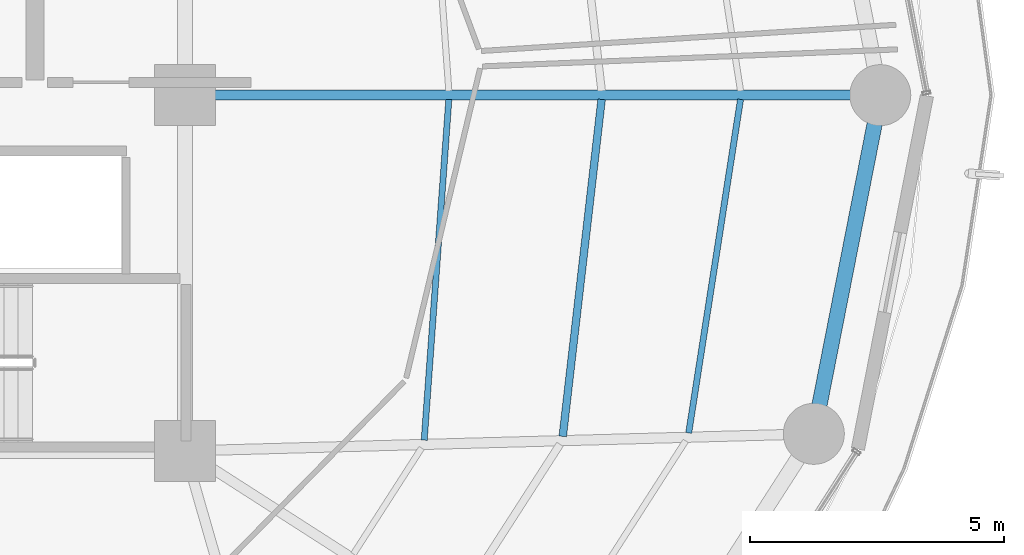
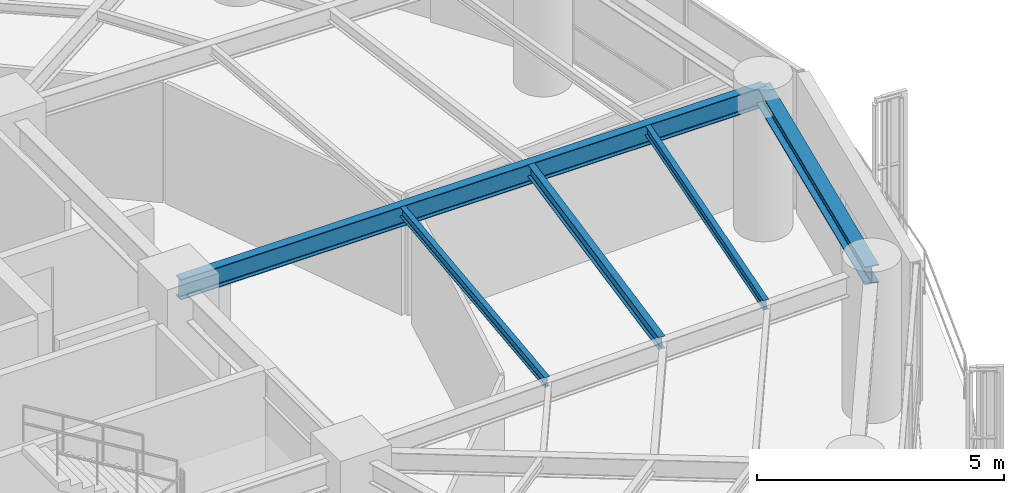
# One storey, part 12 of 28: 5 beams.
"""IFC4 building model written with IfcOpenShell, lengths in metres."""

from ifc_helpers import new_model, si_unit, direction, frame, origin, origin_2d, place, context, subcontext, project, spatial, i_section, extrude, material, material_profile, profile_set, type_object, element, save


model = new_model("IFC4")

# Units and contexts
model_context = context("Model", 3, precision=1e-05, world=origin(), true_north=direction((0.0, 1.0)))
body_context = subcontext(model_context, "Body", "Model", "MODEL_VIEW")
ifc_project = project(units=[si_unit("LENGTHUNIT", "METRE"), si_unit("AREAUNIT", "SQUARE_METRE"), si_unit("VOLUMEUNIT", "CUBIC_METRE"), si_unit("PLANEANGLEUNIT", "RADIAN"), si_unit("MASSUNIT", "GRAM", prefix="KILO")], contexts=[model_context])

# Site, building, storey
site_placement = place(None, origin())
site = spatial("IfcSite", under=ifc_project, at=site_placement, CompositionType="ELEMENT")
building_placement = place(site_placement, origin())
building = spatial("IfcBuilding", under=site, at=building_placement, Name="Kelanora Arch Commons", CompositionType="ELEMENT")
storey_placement = place(building_placement, frame((0.0, 0.0, 161.85009765625)))
storey = spatial("IfcBuildingStorey", under=building, at=storey_placement, Name="L41", CompositionType="ELEMENT", Elevation=161.85009765625)

# Beams
ifc_material = material(Name="Steel S355", Category="steel")
ifc_material_profile_1 = material_profile(ifc_material, i_section(OverallWidth=0.14990234375, OverallDepth=0.300048828125, WebThickness=0.007080078125, FlangeThickness=0.0107421875, FilletRadius=0.014892578125, at=origin_2d()), Name="IPE300")
ifc_profile_set_1 = profile_set([ifc_material_profile_1], Name="Steel S355")
beam_type_1 = type_object("IfcBeamType", Name="BM-JST-01", PredefinedType="JOIST", material=ifc_profile_set_1)
beam_1_placement = place(storey_placement, frame((89.43310546875, 51.286865234375, 3.33984375), z_axis=(0.114667159005, 0.9934039675, 0.0), x_axis=(-0.9934039675, 0.114667159005, 0.0)))
element("IfcBeam", 1, at=beam_1_placement, inside=storey, type_object=beam_type_1, Name="Secondary Chord Joist BJB-34 L41", PredefinedType="JOIST", context=body_context, shape_type="SweptSolid", body=[
    extrude(i_section(OverallWidth=0.14990234375, OverallDepth=0.300048828125, WebThickness=0.007080078125, FlangeThickness=0.0107421875, FilletRadius=0.014892578125, at=origin_2d()), origin(), (0.0, 0.0, 1.0), 6.672607421875),
])
ifc_material_profile_2 = material_profile(ifc_material, i_section(OverallWidth=0.1201171875, OverallDepth=0.239990234375, WebThickness=0.006103515625, FlangeThickness=0.009765625, FilletRadius=0.014892578125, at=origin_2d()), Name="IPE240")
ifc_profile_set_2 = profile_set([ifc_material_profile_2], Name="Steel S355")
beam_type_2 = type_object("IfcBeamType", Name="BM-JST-02", PredefinedType="JOIST", material=ifc_profile_set_2)
beam_2_placement = place(storey_placement, frame((86.707763671875, 51.212890625, 3.369873046875), z_axis=(0.072117123738, 0.997396170267, 0.0), x_axis=(-0.997396170267, 0.072117123738, 0.0)))
element("IfcBeam", 2, at=beam_2_placement, inside=storey, type_object=beam_type_2, Name="Secondary Chord Joist BJA-34 L41", PredefinedType="JOIST", context=body_context, shape_type="SweptSolid", body=[
    extrude(i_section(OverallWidth=0.1201171875, OverallDepth=0.239990234375, WebThickness=0.006103515625, FlangeThickness=0.009765625, FilletRadius=0.014892578125, at=origin_2d()), origin(), (0.0, 0.0, 1.0), 6.719970703125),
])
beam_3_placement = place(storey_placement, frame((91.9111328125, 51.35400390625, 3.369873046875), z_axis=(0.153562625853, 0.988138917329, 0.0), x_axis=(-0.988138917329, 0.153562625853, 0.0)))
element("IfcBeam", 3, at=beam_3_placement, inside=storey, type_object=beam_type_2, Name="Secondary Chord Joist BJC-34 L41", PredefinedType="JOIST", context=body_context, shape_type="SweptSolid", body=[
    extrude(i_section(OverallWidth=0.1201171875, OverallDepth=0.239990234375, WebThickness=0.006103515625, FlangeThickness=0.009765625, FilletRadius=0.014892578125, at=origin_2d()), origin(), (0.0, 0.0, 1.0), 6.640869140625),
])
ifc_material_profile_3 = material_profile(ifc_material, i_section(OverallWidth=0.199951171875, OverallDepth=0.5, WebThickness=0.01025390625, FlangeThickness=0.01611328125, FilletRadius=0.02099609375, at=origin_2d()), Name="IPE500")
ifc_profile_set_3 = profile_set([ifc_material_profile_3], Name="Steel S355")
beam_type_3 = type_object("IfcBeamType", Name="BM-RAD-Z3", PredefinedType="BEAM", material=ifc_profile_set_3)
beam_4_placement = place(storey_placement, frame((82.0, 58.0, 3.239990234375), z_axis=(1.0, 0.0, 0.0), x_axis=(0.0, 1.0, 0.0)))
element("IfcBeam", 4, at=beam_4_placement, inside=storey, type_object=beam_type_3, Name="Radial Floor Girder BR-00 L41", PredefinedType="BEAM", context=body_context, shape_type="SweptSolid", body=[
    extrude(i_section(OverallWidth=0.199951171875, OverallDepth=0.5, WebThickness=0.01025390625, FlangeThickness=0.01611328125, FilletRadius=0.02099609375, at=origin_2d()), origin(), (0.0, 0.0, 1.0), 13.679931640625),
])
ifc_material_profile_4 = material_profile(ifc_material, i_section(OverallWidth=0.300048828125, OverallDepth=0.449951171875, WebThickness=0.013916015625, FlangeThickness=0.02587890625, FilletRadius=0.027099609375, at=origin_2d()), Name="HEB450")
ifc_profile_set_4 = profile_set([ifc_material_profile_4], Name="Steel S355")
beam_type_4 = type_object("IfcBeamType", Name="BM-SPN-Z3", PredefinedType="SPANDREL", material=ifc_profile_set_4)
beam_5_placement = place(storey_placement, frame((94.37255859375, 51.33740234375, 3.264892578125), z_axis=(0.192553643556, 0.981286448675, 0.0), x_axis=(-0.981286448675, 0.192553643556, 0.0)))
element("IfcBeam", 5, at=beam_5_placement, inside=storey, type_object=beam_type_4, Name="Perimeter Spandrel Beam BS-34 L41", PredefinedType="SPANDREL", context=body_context, shape_type="SweptSolid", body=[
    extrude(i_section(OverallWidth=0.300048828125, OverallDepth=0.449951171875, WebThickness=0.013916015625, FlangeThickness=0.02587890625, FilletRadius=0.027099609375, at=origin_2d()), origin(), (0.0, 0.0, 1.0), 6.78955078125),
])

save(model, "model.ifc")
